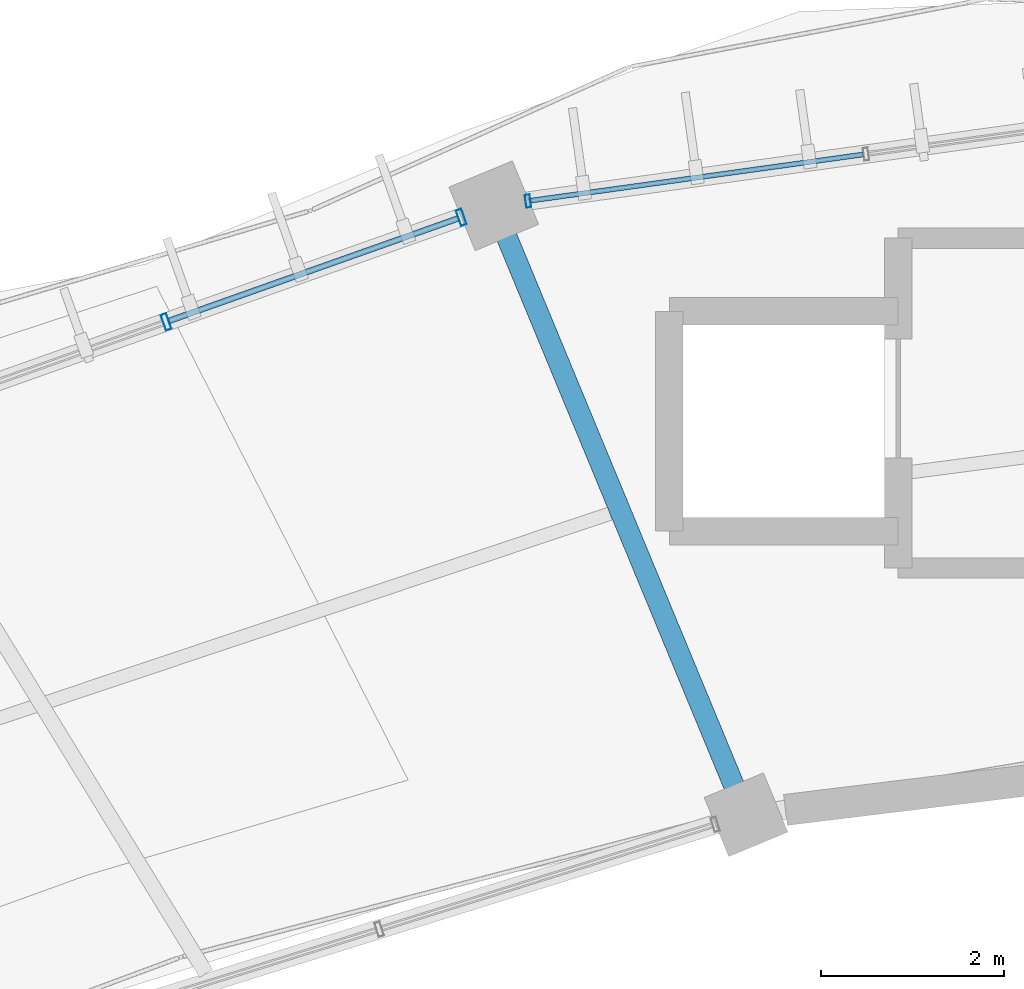
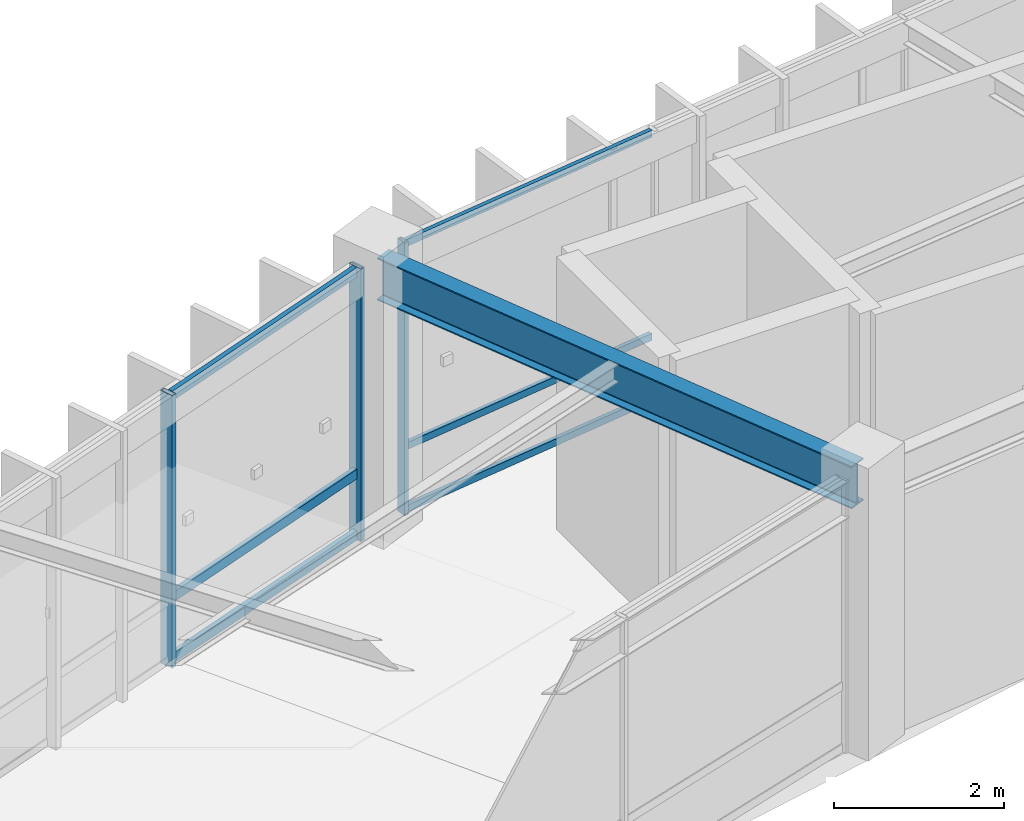
# One storey, part 72 of 152: 9 members, 1 beam, 2 elements without a shape of their own.
"""IFC4 building model written with IfcOpenShell, lengths in metres."""

import ifcopenshell
import ifcopenshell.guid

model = None  # the IFC model being written
_history = None  # IfcOwnerHistory: only IFC2X3 demands one
_inside = {}  # id of a spatial element -> (the spatial element, [elements in it])
_under = {}  # id of a project, library or spatial element -> (it, [spatial elements below it])
_declared = {}  # id of a project -> (the project, [libraries it declares])
_typed = {}  # id of a type object -> (the type object, [elements of that type])
_made_of = {}  # id of a material, layer set ... -> (it, [elements and type objects made of it])


def new_model(schema):
    """Start an empty IFC model of exactly this schema.

    Asked for "IFC4X3", IfcOpenShell would pick the latest addendum, in which some entities
    have other attributes; the version numbers below select the first issue.
    IFC2X3 requires an IfcOwnerHistory on every rooted entity: one is made here for all.
    """
    global model, _history
    if schema == "IFC4X3":
        model = ifcopenshell.file(schema_version=(4, 3, 0, 0))
    else:
        model = ifcopenshell.file(schema=schema)
    _inside.clear()
    _under.clear()
    _declared.clear()
    _typed.clear()
    _made_of.clear()
    _history = None
    if model.schema == "IFC2X3":
        org = make("IfcOrganization", Name="unknown")
        user = make(
            "IfcPersonAndOrganization",
            ThePerson=make("IfcPerson", FamilyName="unknown"),
            TheOrganization=org,
        )
        app = make(
            "IfcApplication",
            ApplicationDeveloper=org,
            Version="unknown",
            ApplicationFullName="unknown",
            ApplicationIdentifier="unknown",
        )
        _history = make(
            "IfcOwnerHistory",
            OwningUser=user,
            OwningApplication=app,
            ChangeAction="ADDED",
            CreationDate=0,
        )
    return model


def make(cls, **values):
    """One entity of the class cls with the attributes given. An attribute that is None is left unset."""
    return model.create_entity(
        cls, **{name: value for name, value in values.items() if value is not None}
    )


def rooted(cls, **values):
    """An entity with a GlobalId (a new one), such as an element, a storey or a relation."""
    return make(cls, GlobalId=ifcopenshell.guid.new(), OwnerHistory=_history, **values)


def si_unit(unit_type, name, prefix=None):
    """IfcSIUnit, for example si_unit("LENGTHUNIT", "METRE", prefix="MILLI")."""
    return make("IfcSIUnit", UnitType=unit_type, Prefix=prefix, Name=name)


def assignment(units):
    """IfcUnitAssignment: the units of a project."""
    return None if units is None else make("IfcUnitAssignment", Units=units)


def point(xyz):
    """IfcCartesianPoint."""
    return None if xyz is None else make("IfcCartesianPoint", Coordinates=xyz)


def direction(xyz):
    """IfcDirection."""
    return None if xyz is None else make("IfcDirection", DirectionRatios=xyz)


def frame(location, z_axis=None, x_axis=None):
    """IfcAxis2Placement3D, a coordinate frame: its origin and axes. An axis left out is left unset."""
    return make(
        "IfcAxis2Placement3D",
        Location=point(location),
        Axis=direction(z_axis),
        RefDirection=direction(x_axis),
    )


def frame_2d(location, x_axis=None):
    """IfcAxis2Placement2D, a coordinate frame in the plane: its origin and x axis."""
    return make(
        "IfcAxis2Placement2D", Location=point(location), RefDirection=direction(x_axis)
    )


def origin():
    """The frame at (0, 0, 0) with its axes left unset."""
    return frame((0.0, 0.0, 0.0))


def origin_2d():
    """The frame at (0, 0) in the plane with its x axis left unset."""
    return frame_2d((0.0, 0.0))


def place(relative_to, where):
    """IfcLocalPlacement: puts the frame where relative to a parent placement (None: the world)."""
    return make(
        "IfcLocalPlacement", PlacementRelTo=relative_to, RelativePlacement=where
    )


def context(
    kind, dimensions, precision=None, world=None, true_north=None, identifier=None
):
    """IfcGeometricRepresentationContext, for example the 3D "Model" context."""
    return make(
        "IfcGeometricRepresentationContext",
        ContextIdentifier=identifier,
        ContextType=kind,
        CoordinateSpaceDimension=dimensions,
        Precision=precision,
        WorldCoordinateSystem=world,
        TrueNorth=true_north,
    )


def subcontext(parent, identifier, kind, view, scale=None):
    """IfcGeometricRepresentationSubContext, for example "Body" below "Model"."""
    return make(
        "IfcGeometricRepresentationSubContext",
        ContextIdentifier=identifier,
        ContextType=kind,
        ParentContext=parent,
        TargetScale=scale,
        TargetView=view,
    )


def project(units=None, contexts=None):
    """IfcProject with its units and contexts."""
    return rooted(
        "IfcProject",
        Name="project",
        RepresentationContexts=contexts,
        UnitsInContext=assignment(units),
    )


def spatial(cls, under=None, at=None, **own):
    """A site, building, storey or space (cls), placed at a placement, below another one or the project."""
    s = rooted(cls, ObjectPlacement=at, **own)
    if under is not None:
        _under.setdefault(under.id(), (under, []))[1].append(s)
    return s


def profile(cls, at=None, kind="AREA", **sizes):
    """A parametric profile (cls). Its sizes go by their IFC names, for example OverallWidth=200.0."""
    return make(cls, ProfileType=kind, Position=at, **sizes)


def hollow_rectangle(**sizes):
    """IfcRectangleHollowProfileDef."""
    return profile("IfcRectangleHollowProfileDef", **sizes)


def i_section(**sizes):
    """IfcIShapeProfileDef."""
    return profile("IfcIShapeProfileDef", **sizes)


def extrude(swept, where, along, depth):
    """IfcExtrudedAreaSolid: the profile swept, set in the frame where, extruded along a direction by depth."""
    return make(
        "IfcExtrudedAreaSolid",
        SweptArea=swept,
        Position=where,
        ExtrudedDirection=direction(along),
        Depth=depth,
    )


def shape(context_of_items, identifier, shape_type, items):
    """IfcShapeRepresentation: the items that make up one representation, for example the "Body"."""
    return make(
        "IfcShapeRepresentation",
        ContextOfItems=context_of_items,
        RepresentationIdentifier=identifier,
        RepresentationType=shape_type,
        Items=items,
    )


def material(Name=None, Category=None):
    """IfcMaterial."""
    return make("IfcMaterial", Name=Name, Category=Category)


def material_profile(
    of_material, cross_section, Name=None, Category=None, Priority=None
):
    """IfcMaterialProfile: a cross section and its material."""
    return make(
        "IfcMaterialProfile",
        Name=Name,
        Material=of_material,
        Profile=cross_section,
        Priority=Priority,
        Category=Category,
    )


def profile_set(profiles, Name=None, composite=None):
    """IfcMaterialProfileSet."""
    return make(
        "IfcMaterialProfileSet",
        Name=Name,
        MaterialProfiles=profiles,
        CompositeProfile=composite,
    )


def made_of(thing, what):
    """Note that an element or type object is made of a material, layer set ...; save() writes the relation."""
    if what is not None:
        _made_of.setdefault(what.id(), (what, []))[1].append(thing)
    return thing


def type_object(cls, material=None, **own):
    """A type object (cls), such as IfcWallType, which elements share."""
    return made_of(rooted(cls, **own), material)


def element(
    cls,
    number,
    at=None,
    inside=None,
    cuts=None,
    type_object=None,
    material=None,
    context=None,
    identifier="Body",
    shape_type=None,
    held_by="IfcProductDefinitionShape",
    body=None,
    shapes=None,
    **own,
):
    """One element of the class cls, such as IfcWall. Its Tag is "e" and its number.

    at: its placement. inside: the storey or other place that contains it. cuts: it is an
    opening in that element (IfcRelVoidsElement). A single representation is given by context,
    identifier, shape_type and body (its items); several are given by shapes. held_by: the class
    of the entity that holds the representations. save() writes the other relations.
    """
    e = rooted(cls, Tag="e%d" % number, ObjectPlacement=at, **own)
    if body is not None:
        shapes = [shape(context, identifier, shape_type, body)]
    if shapes is not None:
        e.Representation = make(held_by, Representations=shapes)
    if inside is not None:
        _inside.setdefault(inside.id(), (inside, []))[1].append(e)
    if cuts is not None:
        rooted(
            "IfcRelVoidsElement", RelatingBuildingElement=cuts, RelatedOpeningElement=e
        )
    if type_object is not None:
        _typed.setdefault(type_object.id(), (type_object, []))[1].append(e)
    return made_of(e, material)


def aggregate(whole, parts):
    """IfcRelAggregates: a whole, such as a stair, and the parts it consists of."""
    return rooted("IfcRelAggregates", RelatingObject=whole, RelatedObjects=parts)


def save(model, path):
    """Write the relations noted so far, then the file.

    IfcRelAggregates (storeys below a building ...), IfcRelContainedInSpatialStructure (elements
    in a storey), IfcRelDefinesByType, IfcRelAssociatesMaterial and IfcRelDeclares: one each for
    every whole, place, type object, material and project.
    """
    for whole, parts in _under.values():
        aggregate(whole, parts)
    for where, things in _inside.values():
        rooted(
            "IfcRelContainedInSpatialStructure",
            RelatedElements=things,
            RelatingStructure=where,
        )
    for kind, things in _typed.values():
        rooted("IfcRelDefinesByType", RelatedObjects=things, RelatingType=kind)
    for what, things in _made_of.values():
        rooted("IfcRelAssociatesMaterial", RelatedObjects=things, RelatingMaterial=what)
    for by, libraries in _declared.values():
        rooted("IfcRelDeclares", RelatingContext=by, RelatedDefinitions=libraries)
    model.write(path)


model = new_model("IFC4")

# Units and contexts
model_context = context("Model", 3, precision=1e-05, world=origin(), true_north=direction((0.0, 1.0)))
body_context = subcontext(model_context, "Body", "Model", "MODEL_VIEW")
ifc_project = project(units=[si_unit("LENGTHUNIT", "METRE"), si_unit("AREAUNIT", "SQUARE_METRE"), si_unit("VOLUMEUNIT", "CUBIC_METRE"), si_unit("PLANEANGLEUNIT", "RADIAN"), si_unit("MASSUNIT", "GRAM", prefix="KILO"), si_unit("THERMODYNAMICTEMPERATUREUNIT", "KELVIN"), si_unit("POWERUNIT", "WATT")], contexts=[model_context])

# Site, building, storey
site_placement = place(None, origin())
site = spatial("IfcSite", under=ifc_project, at=site_placement, CompositionType="ELEMENT")
building_placement = place(site_placement, origin())
building = spatial("IfcBuilding", under=site, at=building_placement, Name="Darbajah Civic Hall", CompositionType="ELEMENT")
storey_placement = place(building_placement, frame((0.0, 0.0, 5.39990234375)))
storey = spatial("IfcBuildingStorey", under=building, at=storey_placement, Name="L01", CompositionType="ELEMENT", Elevation=5.39990234375)

# Curtain wall, member
ifc_material_1 = material(Name="Anodised Bronze Aluminium and Low-E Glazing", Category="aluminium")
curtain_wall_type_1 = type_object("IfcCurtainWallType", Name="Unitised Curtain Wall CW-23 14900x3900", PredefinedType="USERDEFINED", material=ifc_material_1)
curtain_wall_1_placement = place(storey_placement, origin())
curtain_wall_1 = element("IfcCurtainWall", 1, at=curtain_wall_1_placement, inside=storey, type_object=curtain_wall_type_1, Name="L01 unitised curtain wall CW-V1O-L01-05", ObjectType="UNITISED CURTAIN WALL", PredefinedType="USERDEFINED")
ifc_material_2 = material(Name="Anodised Bronze Aluminium", Category="aluminium")
ifc_material_profile_1 = material_profile(ifc_material_2, hollow_rectangle(XDim=0.054931640625, YDim=0.139892578125, WallThickness=0.003173828125, at=origin_2d()), Name="ALU MULLION 55x140")
ifc_profile_set_1 = profile_set([ifc_material_profile_1], Name="Anodised Bronze Aluminium")
member_type_1 = type_object("IfcMemberType", Name="ALU MULLION 55x140", PredefinedType="MULLION", material=ifc_profile_set_1)
member_1_placement = place(storey_placement, frame((69.95654296875, 117.106201171875, 0.0), z_axis=(0.0, 0.0, 1.0), x_axis=(-0.990485459553, -0.137617420457, 0.0)))
member_1 = element("IfcMember", 2, at=member_1_placement, type_object=member_type_1, Name="CW-V1O-L01-05 mullion 5", PredefinedType="MULLION", context=body_context, shape_type="SweptSolid", body=[
    extrude(hollow_rectangle(XDim=0.054931640625, YDim=0.139892578125, WallThickness=0.003173828125, at=origin_2d()), origin(), (0.0, 0.0, 1.0), 3.920166015625),
])

# Curtain wall, members
curtain_wall_type_2 = type_object("IfcCurtainWallType", Name="Unitised Curtain Wall CW-24 13700x3900", PredefinedType="USERDEFINED", material=ifc_material_1)
curtain_wall_2_placement = place(storey_placement, origin())
curtain_wall_2 = element("IfcCurtainWall", 3, at=curtain_wall_2_placement, inside=storey, type_object=curtain_wall_type_2, Name="L01 unitised curtain wall CW-V1O-L01-06", ObjectType="UNITISED CURTAIN WALL", PredefinedType="USERDEFINED")
ifc_material_profile_2 = material_profile(ifc_material_2, hollow_rectangle(XDim=0.06494140625, YDim=0.179931640625, WallThickness=0.00390625, at=origin_2d()), Name="ALU MULLION 65x180")
ifc_profile_set_2 = profile_set([ifc_material_profile_2], Name="Anodised Bronze Aluminium")
member_type_2 = type_object("IfcMemberType", Name="ALU MULLION 65x180", PredefinedType="MULLION", material=ifc_profile_set_2)
member_2_placement = place(storey_placement, frame((69.227783203125, 116.928466796875, 0.0), z_axis=(0.0, 0.0, 1.0), x_axis=(-0.94252491309, -0.334135882844, 0.0)))
member_2 = element("IfcMember", 4, at=member_2_placement, type_object=member_type_2, Name="CW-V1O-L01-06 mullion 1", PredefinedType="MULLION", context=body_context, shape_type="SweptSolid", body=[
    extrude(hollow_rectangle(XDim=0.06494140625, YDim=0.179931640625, WallThickness=0.00390625, at=origin_2d()), origin(), (0.0, 0.0, 1.0), 3.920166015625),
])
member_3_placement = place(storey_placement, frame((66.004150390625, 115.785888671875, 0.0), z_axis=(0.0, 0.0, 1.0), x_axis=(-0.94252491309, -0.334135882844, 0.0)))
member_3 = element("IfcMember", 5, at=member_3_placement, type_object=member_type_2, Name="CW-V1O-L01-06 mullion 2", PredefinedType="MULLION", context=body_context, shape_type="SweptSolid", body=[
    extrude(hollow_rectangle(XDim=0.06494140625, YDim=0.179931640625, WallThickness=0.00390625, at=origin_2d()), origin(), (0.0, 0.0, 1.0), 3.920166015625),
])

# Member
ifc_material_profile_3 = material_profile(ifc_material_2, hollow_rectangle(XDim=0.054931640625, YDim=0.10009765625, WallThickness=0.0029296875, at=origin_2d()), Name="ALU TRANSOM 55x100")
ifc_profile_set_3 = profile_set([ifc_material_profile_3], Name="Anodised Bronze Aluminium")
member_type_3 = type_object("IfcMemberType", Name="ALU TRANSOM 55x100", PredefinedType="USERDEFINED", material=ifc_profile_set_3)
member_4_placement = place(storey_placement, frame((73.616455078125, 117.614501953125, 0.050048828125), z_axis=(-0.99049908429, -0.137519322356, 0.0), x_axis=(0.137519322356, -0.99049908429, 0.0)))
member_4 = element("IfcMember", 6, at=member_4_placement, type_object=member_type_3, Name="CW-V1O-L01-05 transom 4.1", ObjectType="TRANSOM", PredefinedType="USERDEFINED", context=body_context, shape_type="SweptSolid", body=[
    extrude(hollow_rectangle(XDim=0.054931640625, YDim=0.10009765625, WallThickness=0.0029296875, at=origin_2d()), origin(), (0.0, 0.0, 1.0), 3.66259765625),
])

member_5_placement = place(storey_placement, frame((73.616455078125, 117.614501953125, 0.9501953125), z_axis=(-0.99049908429, -0.137519322356, 0.0), x_axis=(0.137519322356, -0.99049908429, 0.0)))
member_5 = element("IfcMember", 7, at=member_5_placement, type_object=member_type_3, Name="CW-V1O-L01-05 transom 4.2", ObjectType="TRANSOM", PredefinedType="USERDEFINED", context=body_context, shape_type="SweptSolid", body=[
    extrude(hollow_rectangle(XDim=0.054931640625, YDim=0.10009765625, WallThickness=0.0029296875, at=origin_2d()), origin(), (0.0, 0.0, 1.0), 3.66259765625),
])

member_6_placement = place(storey_placement, frame((73.616455078125, 117.614501953125, 3.8701171875), z_axis=(-0.99049908429, -0.137519322356, 0.0), x_axis=(0.137519322356, -0.99049908429, 0.0)))
member_6 = element("IfcMember", 8, at=member_6_placement, type_object=member_type_3, Name="CW-V1O-L01-05 transom 4.3", ObjectType="TRANSOM", PredefinedType="USERDEFINED", context=body_context, shape_type="SweptSolid", body=[
    extrude(hollow_rectangle(XDim=0.054931640625, YDim=0.10009765625, WallThickness=0.0029296875, at=origin_2d()), origin(), (0.0, 0.0, 1.0), 3.66259765625),
])

aggregate(curtain_wall_1, [member_1, member_4, member_5, member_6])

ifc_material_profile_4 = material_profile(ifc_material_2, hollow_rectangle(XDim=0.06494140625, YDim=0.139892578125, WallThickness=0.00341796875, at=origin_2d()), Name="ALU TRANSOM 65x140")
ifc_profile_set_4 = profile_set([ifc_material_profile_4], Name="Anodised Bronze Aluminium")
member_type_4 = type_object("IfcMemberType", Name="ALU TRANSOM 65x140", PredefinedType="USERDEFINED", material=ifc_profile_set_4)
member_7_placement = place(storey_placement, frame((69.1923828125, 116.916015625, 0.070068359375), z_axis=(-0.942528613477, -0.334125444672, 0.0), x_axis=(0.334125444672, -0.942528613477, 0.0)))
member_7 = element("IfcMember", 9, at=member_7_placement, type_object=member_type_4, Name="CW-V1O-L01-06 transom 1.1", ObjectType="TRANSOM", PredefinedType="USERDEFINED", context=body_context, shape_type="SweptSolid", body=[
    extrude(hollow_rectangle(XDim=0.06494140625, YDim=0.139892578125, WallThickness=0.00341796875, at=origin_2d()), origin(), (0.0, 0.0, 1.0), 3.344970703125),
])

member_8_placement = place(storey_placement, frame((69.1923828125, 116.916015625, 0.9501953125), z_axis=(-0.942528613477, -0.334125444672, 0.0), x_axis=(0.334125444672, -0.942528613477, 0.0)))
member_8 = element("IfcMember", 10, at=member_8_placement, type_object=member_type_4, Name="CW-V1O-L01-06 transom 1.2", ObjectType="TRANSOM", PredefinedType="USERDEFINED", context=body_context, shape_type="SweptSolid", body=[
    extrude(hollow_rectangle(XDim=0.06494140625, YDim=0.139892578125, WallThickness=0.00341796875, at=origin_2d()), origin(), (0.0, 0.0, 1.0), 3.344970703125),
])

member_9_placement = place(storey_placement, frame((69.1923828125, 116.916015625, 3.85009765625), z_axis=(-0.942528613477, -0.334125444672, 0.0), x_axis=(0.334125444672, -0.942528613477, 0.0)))
member_9 = element("IfcMember", 11, at=member_9_placement, type_object=member_type_4, Name="CW-V1O-L01-06 transom 1.3", ObjectType="TRANSOM", PredefinedType="USERDEFINED", context=body_context, shape_type="SweptSolid", body=[
    extrude(hollow_rectangle(XDim=0.06494140625, YDim=0.139892578125, WallThickness=0.00341796875, at=origin_2d()), origin(), (0.0, 0.0, 1.0), 3.344970703125),
])

aggregate(curtain_wall_2, [member_2, member_3, member_7, member_8, member_9])

# Beam
ifc_material_3 = material(Name="Steel S355JR", Category="steel")
ifc_material_profile_5 = material_profile(ifc_material_3, i_section(OverallWidth=0.228271484375, OverallDepth=0.607666015625, WebThickness=0.010986328125, FlangeThickness=0.017333984375, FilletRadius=0.0126953125, at=origin_2d()), Name="UB 610x229x113")
ifc_profile_set_5 = profile_set([ifc_material_profile_5], Name="Steel S355JR")
beam_type = type_object("IfcBeamType", Name="UB 610x229x113", PredefinedType="BEAM", material=ifc_profile_set_5)
beam_placement = place(storey_placement, frame((72.307861328125, 110.476318359375, 3.6162109375), z_axis=(-0.382681552297, 0.923880311259, 0.0), x_axis=(-0.923880311259, -0.382681552297, 0.0)))
element("IfcBeam", 12, at=beam_placement, inside=storey, type_object=beam_type, Name="L01 beam SB-610", PredefinedType="BEAM", context=body_context, shape_type="SweptSolid", body=[
    extrude(i_section(OverallWidth=0.228271484375, OverallDepth=0.607666015625, WebThickness=0.010986328125, FlangeThickness=0.017333984375, FilletRadius=0.0126953125, at=origin_2d()), origin(), (0.0, 0.0, 1.0), 7.0400390625),
])

save(model, "model.ifc")
